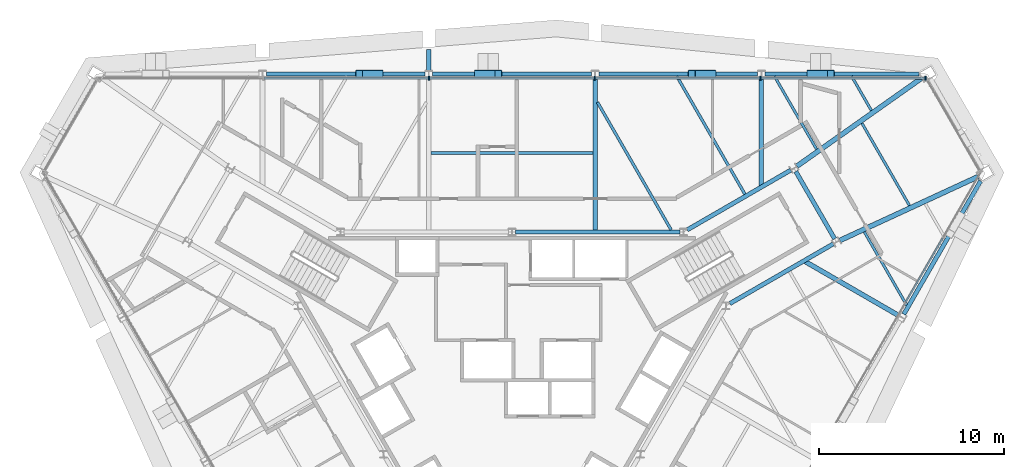
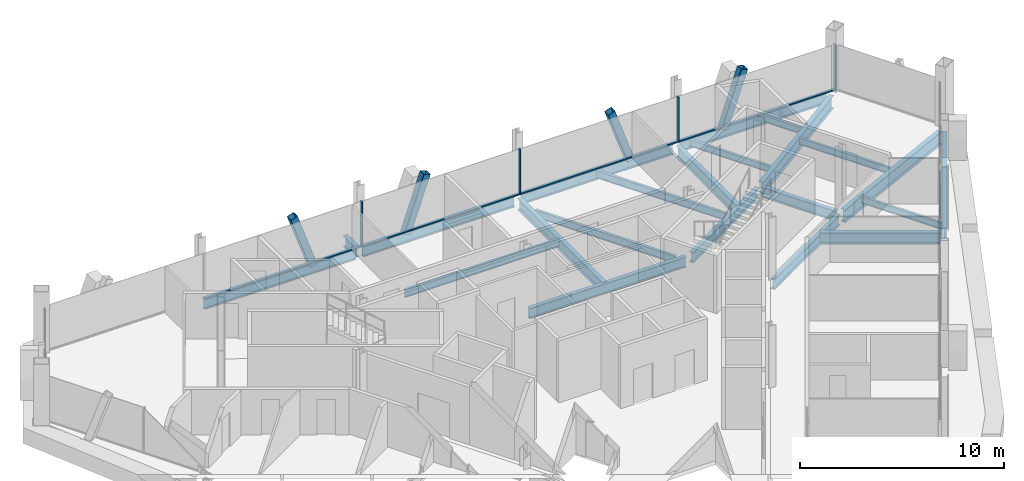
# One storey, part 8 of 16: 22 beams, 13 members, 2 elements without a shape of their own.
"""IFC4 building model written with IfcOpenShell, lengths in metres."""

from ifc_helpers import new_model, si_unit, direction, frame, origin, origin_2d, place, context, subcontext, project, spatial, rectangle, hollow_rectangle, i_section, extrude, material, material_profile, profile_set, type_object, element, aggregate, save


model = new_model("IFC4")

# Units and contexts
model_context = context("Model", 3, precision=1e-05, world=origin(), true_north=direction((0.0, 1.0)))
body_context = subcontext(model_context, "Body", "Model", "MODEL_VIEW")
ifc_project = project(units=[si_unit("LENGTHUNIT", "METRE"), si_unit("AREAUNIT", "SQUARE_METRE"), si_unit("VOLUMEUNIT", "CUBIC_METRE"), si_unit("PLANEANGLEUNIT", "RADIAN"), si_unit("MASSUNIT", "GRAM", prefix="KILO")], contexts=[model_context])

# Site, building, storey
site_placement = place(None, origin())
site = spatial("IfcSite", under=ifc_project, at=site_placement, CompositionType="ELEMENT")
building_placement = place(site_placement, origin())
building = spatial("IfcBuilding", under=site, at=building_placement, Name="Verrane Prism Tower", CompositionType="ELEMENT")
storey_placement = place(building_placement, frame((0.0, 0.0, 239.699951171875)))
storey = spatial("IfcBuildingStorey", under=building, at=storey_placement, Name="L60", CompositionType="ELEMENT", Elevation=239.699951171875)

# Beams
ifc_material_1 = material(Name="Steel A992", Category="steel")
ifc_material_profile_1 = material_profile(ifc_material_1, i_section(OverallWidth=0.23046875, OverallDepth=0.6171875, WebThickness=0.01318359375, FlangeThickness=0.022216796875, FilletRadius=0.012939453125, at=origin_2d()), Name="W24x94")
ifc_profile_set_1 = profile_set([ifc_material_profile_1], Name="Steel A992")
beam_type_1 = type_object("IfcBeamType", Name="Core ring girder W24x94", PredefinedType="BEAM", material=ifc_profile_set_1)
beam_1_placement = place(storey_placement, frame((11.759521484375, 4.135009765625, -0.55859375), z_axis=(0.866080992722, 0.499903704773, 0.0), x_axis=(-0.499903704773, 0.866080992722, 0.0)))
element("IfcBeam", 1, at=beam_1_placement, inside=storey, type_object=beam_type_1, Name="Core ring girder L60", PredefinedType="BEAM", context=body_context, shape_type="SweptSolid", body=[
    extrude(i_section(OverallWidth=0.23046875, OverallDepth=0.6171875, WebThickness=0.01318359375, FlangeThickness=0.022216796875, FilletRadius=0.012939453125, at=origin_2d()), origin(), (0.0, 0.0, 1.0), 6.451904296875),
])
beam_2_placement = place(storey_placement, frame((17.419677734375, 7.6337890625, -0.55859375), z_axis=(-0.500375511519, 0.865808493532, 0.0), x_axis=(-0.865808493532, -0.500375511519, 0.0)))
element("IfcBeam", 2, at=beam_2_placement, inside=storey, type_object=beam_type_1, Name="Core ring girder L60", PredefinedType="BEAM", context=body_context, shape_type="SweptSolid", body=[
    extrude(i_section(OverallWidth=0.23046875, OverallDepth=0.6171875, WebThickness=0.01318359375, FlangeThickness=0.022216796875, FilletRadius=0.012939453125, at=origin_2d()), origin(), (0.0, 0.0, 1.0), 4.195556640625),
])
beam_3_placement = place(storey_placement, frame((15.04736328125, 11.34033203125, -0.55859375), z_axis=(-0.866080992722, -0.499903704773, 0.0), x_axis=(0.499903704773, -0.866080992722, 0.0)))
element("IfcBeam", 3, at=beam_3_placement, inside=storey, type_object=beam_type_1, Name="Core ring girder L60", PredefinedType="BEAM", context=body_context, shape_type="SweptSolid", body=[
    extrude(i_section(OverallWidth=0.23046875, OverallDepth=0.6171875, WebThickness=0.01318359375, FlangeThickness=0.022216796875, FilletRadius=0.012939453125, at=origin_2d()), origin(), (0.0, 0.0, 1.0), 6.451904296875),
])
beam_4_placement = place(storey_placement, frame((9.060546875, 8.0, -0.55859375), z_axis=(-1.0, 0.0, 0.0), x_axis=(0.0, -1.0, 0.0)))
element("IfcBeam", 4, at=beam_4_placement, inside=storey, type_object=beam_type_1, Name="Core ring girder L60", PredefinedType="BEAM", context=body_context, shape_type="SweptSolid", body=[
    extrude(i_section(OverallWidth=0.23046875, OverallDepth=0.6171875, WebThickness=0.01318359375, FlangeThickness=0.022216796875, FilletRadius=0.012939453125, at=origin_2d()), origin(), (0.0, 0.0, 1.0), 8.861083984375),
])
ifc_material_2 = material(Name="Steel A992", Category="steel")
ifc_material_profile_2 = material_profile(ifc_material_2, i_section(OverallWidth=0.2666015625, OverallDepth=0.76708984375, WebThickness=0.014892578125, FlangeThickness=0.023681640625, FilletRadius=0.0166015625, at=origin_2d()), Name="W30x124")
ifc_profile_set_2 = profile_set([ifc_material_profile_2], Name="Steel A992")
beam_type_2 = type_object("IfcBeamType", Name="Corner girder W30x124", PredefinedType="BEAM", material=ifc_profile_set_2)
beam_5_placement = place(storey_placement, frame((25.165283203125, 10.99169921875, -0.603515625), z_axis=(-0.907815050259, -0.419370760215, 0.0), x_axis=(0.419370760215, -0.907815050259, 0.0)))
element("IfcBeam", 5, at=beam_5_placement, inside=storey, type_object=beam_type_2, Name="Corner girder L60", PredefinedType="BEAM", context=body_context, shape_type="SweptSolid", body=[
    extrude(i_section(OverallWidth=0.2666015625, OverallDepth=0.76708984375, WebThickness=0.014892578125, FlangeThickness=0.023681640625, FilletRadius=0.0166015625, at=origin_2d()), origin(), (0.0, 0.0, 1.0), 8.22119140625),
])
beam_6_placement = place(storey_placement, frame((22.101806640625, 16.29833984375, -0.603515625), z_axis=(-0.816932483904, -0.576733315096, 0.0), x_axis=(0.576733315096, -0.816932483904, 0.0)))
element("IfcBeam", 6, at=beam_6_placement, inside=storey, type_object=beam_type_2, Name="Corner girder L60", PredefinedType="BEAM", context=body_context, shape_type="SweptSolid", body=[
    extrude(i_section(OverallWidth=0.2666015625, OverallDepth=0.76708984375, WebThickness=0.014892578125, FlangeThickness=0.023681640625, FilletRadius=0.0166015625, at=origin_2d()), origin(), (0.0, 0.0, 1.0), 8.223876953125),
])

# Members
ifc_material_3 = material(Name="Steel A500 Grade C", Category="steel")
ifc_material_profile_3 = material_profile(ifc_material_3, hollow_rectangle(XDim=0.406494140625, YDim=0.406494140625, WallThickness=0.01904296875, InnerFilletRadius=0.009521484375, OuterFilletRadius=0.028564453125, at=origin_2d()), Name="HSS16x16x3/4")
ifc_profile_set_3 = profile_set([ifc_material_profile_3], Name="Steel A500 Grade C")
member_type_1 = type_object("IfcMemberType", Name="Facade brace HSS16x16x3/4", PredefinedType="BRACE", material=ifc_profile_set_3)
for number, where, z_axis, x_axis, name in (
    (7, (16.110107421875, 16.530029296875, -0.216552734375), (0.327271704473, 0.0, 0.944930278619), (0.0, 1.0, 0.0), "Facade brace N0 L60"),
    (8, (10.809814453125, 16.530029296875, -0.216552734375), (-0.327271704473, 0.0, 0.944930278619), (0.0, -1.0, 0.0), "Facade brace N1 L60"),
):
    element("IfcMember", number, at=place(storey_placement, frame(where, z_axis=z_axis, x_axis=x_axis)), inside=storey, type_object=member_type_1, Name=name, PredefinedType="BRACE", context=body_context, shape_type="SweptSolid", body=[
        extrude(hollow_rectangle(XDim=0.406494140625, YDim=0.406494140625, WallThickness=0.01904296875, InnerFilletRadius=0.009521484375, OuterFilletRadius=0.028564453125, at=origin_2d()), origin(), (0.0, 0.0, 1.0), 3.38232421875),
    ])
member_1_placement = place(storey_placement, frame((-1.8369140625, 16.530029296875, -0.216552734375), z_axis=(0.327593900005, 0.0, 0.94481862634), x_axis=(0.0, 1.0, 0.0)))
element("IfcMember", 9, at=member_1_placement, inside=storey, type_object=member_type_1, Name="Facade brace N2 L60", PredefinedType="BRACE", context=body_context, shape_type="SweptSolid", body=[
    extrude(hollow_rectangle(XDim=0.406494140625, YDim=0.406494140625, WallThickness=0.01904296875, InnerFilletRadius=0.009521484375, OuterFilletRadius=0.028564453125, at=origin_2d()), origin(), (0.0, 0.0, 1.0), 3.3828125),
])
member_2_placement = place(storey_placement, frame((-7.14013671875, 16.530029296875, -0.216552734375), z_axis=(-0.327271704473, 0.0, 0.944930278619), x_axis=(0.0, -1.0, 0.0)))
element("IfcMember", 10, at=member_2_placement, inside=storey, type_object=member_type_1, Name="Facade brace N3 L60", PredefinedType="BRACE", context=body_context, shape_type="SweptSolid", body=[
    extrude(hollow_rectangle(XDim=0.406494140625, YDim=0.406494140625, WallThickness=0.01904296875, InnerFilletRadius=0.009521484375, OuterFilletRadius=0.028564453125, at=origin_2d()), origin(), (0.0, 0.0, 1.0), 3.38232421875),
])

# Beams
ifc_material_4 = material(Name="Steel A992", Category="steel")
ifc_material_profile_4 = material_profile(ifc_material_4, i_section(OverallWidth=0.140380859375, OverallDepth=0.40380859375, WebThickness=0.007080078125, FlangeThickness=0.01123046875, FilletRadius=0.01025390625, at=origin_2d()), Name="W16x31")
ifc_profile_set_4 = profile_set([ifc_material_profile_4], Name="Steel A992")
beam_type_3 = type_object("IfcBeamType", Name="Floor beam W16x31", PredefinedType="BEAM", material=ifc_profile_set_4)
beam_7_placement = place(storey_placement, frame((19.4033203125, 14.556640625, -0.36181640625), z_axis=(-0.49993256484, 0.866064333992, 0.0), x_axis=(-0.866064333992, -0.49993256484, 0.0)))
element("IfcBeam", 11, at=beam_7_placement, inside=storey, type_object=beam_type_3, Name="Floor beam L60", PredefinedType="BEAM", context=body_context, shape_type="SweptSolid", body=[
    extrude(i_section(OverallWidth=0.140380859375, OverallDepth=0.40380859375, WebThickness=0.007080078125, FlangeThickness=0.01123046875, FilletRadius=0.01025390625, at=origin_2d()), origin(), (0.0, 0.0, 1.0), 2.145751953125),
])
beam_8_placement = place(storey_placement, frame((16.44384765625, 12.46728515625, -0.36181640625), z_axis=(-0.499969718208, 0.866042886279, 0.0), x_axis=(-0.866042886279, -0.499969718208, 0.0)))
element("IfcBeam", 12, at=beam_8_placement, inside=storey, type_object=beam_type_3, Name="Floor beam L60", PredefinedType="BEAM", context=body_context, shape_type="SweptSolid", body=[
    extrude(i_section(OverallWidth=0.140380859375, OverallDepth=0.40380859375, WebThickness=0.007080078125, FlangeThickness=0.01123046875, FilletRadius=0.01025390625, at=origin_2d()), origin(), (0.0, 0.0, 1.0), 4.558349609375),
])
beam_9_placement = place(storey_placement, frame((21.30126953125, 4.05615234375, -0.36181640625), z_axis=(-0.500002007077, 0.866024244995, 0.0), x_axis=(-0.866024244995, -0.500002007077, 0.0)))
element("IfcBeam", 13, at=beam_9_placement, inside=storey, type_object=beam_type_3, Name="Floor beam L60", PredefinedType="BEAM", context=body_context, shape_type="SweptSolid", body=[
    extrude(i_section(OverallWidth=0.140380859375, OverallDepth=0.40380859375, WebThickness=0.007080078125, FlangeThickness=0.01123046875, FilletRadius=0.01025390625, at=origin_2d()), origin(), (0.0, 0.0, 1.0), 4.56103515625),
])
beam_10_placement = place(storey_placement, frame((21.457275390625, 9.42578125, -0.36181640625), z_axis=(-0.499992949462, 0.866029474376, 0.0), x_axis=(-0.866029474376, -0.499992949462, 0.0)))
element("IfcBeam", 14, at=beam_10_placement, inside=storey, type_object=beam_type_3, Name="Floor beam L60", PredefinedType="BEAM", context=body_context, shape_type="SweptSolid", body=[
    extrude(i_section(OverallWidth=0.140380859375, OverallDepth=0.40380859375, WebThickness=0.007080078125, FlangeThickness=0.01123046875, FilletRadius=0.01025390625, at=origin_2d()), origin(), (0.0, 0.0, 1.0), 5.13037109375),
])
ifc_material_5 = material(Name="Steel A992", Category="steel")
ifc_material_profile_5 = material_profile(ifc_material_5, i_section(OverallWidth=0.15234375, OverallDepth=0.449462890625, WebThickness=0.007568359375, FlangeThickness=0.0107421875, FilletRadius=0.01025390625, at=origin_2d()), Name="W18x35")
ifc_profile_set_5 = profile_set([ifc_material_profile_5], Name="Steel A992")
beam_type_4 = type_object("IfcBeamType", Name="Floor beam W18x35", PredefinedType="BEAM", material=ifc_profile_set_5)
beam_11_placement = place(storey_placement, frame((12.57421875, 10.042236328125, -0.384765625), z_axis=(-0.500010598107, 0.866019284878, 0.0), x_axis=(-0.866019284878, -0.500010598107, 0.0)))
element("IfcBeam", 15, at=beam_11_placement, inside=storey, type_object=beam_type_4, Name="Floor beam L60", PredefinedType="BEAM", context=body_context, shape_type="SweptSolid", body=[
    extrude(i_section(OverallWidth=0.15234375, OverallDepth=0.449462890625, WebThickness=0.007568359375, FlangeThickness=0.0107421875, FilletRadius=0.01025390625, at=origin_2d()), origin(), (0.0, 0.0, 1.0), 7.358642578125),
])
beam_12_placement = place(storey_placement, frame((8.59326171875, 8.114990234375, -0.384765625), z_axis=(-0.499998823592, 0.866026082983, 0.0), x_axis=(-0.866026082983, -0.499998823592, 0.0)))
element("IfcBeam", 16, at=beam_12_placement, inside=storey, type_object=beam_type_4, Name="Floor beam L60", PredefinedType="BEAM", context=body_context, shape_type="SweptSolid", body=[
    extrude(i_section(OverallWidth=0.15234375, OverallDepth=0.449462890625, WebThickness=0.007568359375, FlangeThickness=0.0107421875, FilletRadius=0.01025390625, at=origin_2d()), origin(), (0.0, 0.0, 1.0), 7.95263671875),
])
beam_13_placement = place(storey_placement, frame((-4.363037109375, 12.264892578125, -0.384765625), z_axis=(1.0, 0.0, 0.0), x_axis=(0.0, 1.0, 0.0)))
element("IfcBeam", 17, at=beam_13_placement, inside=storey, type_object=beam_type_4, Name="Floor beam L60", PredefinedType="BEAM", context=body_context, shape_type="SweptSolid", body=[
    extrude(i_section(OverallWidth=0.15234375, OverallDepth=0.449462890625, WebThickness=0.007568359375, FlangeThickness=0.0107421875, FilletRadius=0.01025390625, at=origin_2d()), origin(), (0.0, 0.0, 1.0), 8.72607421875),
])

# Curtain wall, members
ifc_material_6 = material(Name="Aluminium framed insulated glazing", Category="aluminium")
curtain_wall_type_1 = type_object("IfcCurtainWallType", Name="Curtain wall CW-A 8400 module", PredefinedType="NOTDEFINED", material=ifc_material_6)
curtain_wall_1_placement = place(storey_placement, origin())
curtain_wall_1 = element("IfcCurtainWall", 18, at=curtain_wall_1_placement, inside=storey, type_object=curtain_wall_type_1, Name="Glazed curtain wall north face L60", PredefinedType="NOTDEFINED")
ifc_material_7 = material(Name="Aluminium alloy 6063-T6", Category="aluminium")
ifc_material_profile_6 = material_profile(ifc_material_7, rectangle(XDim=0.199951171875, YDim=0.070068359375, at=origin_2d()), Name="Mullion 70x200 aluminium")
ifc_profile_set_6 = profile_set([ifc_material_profile_6], Name="Aluminium alloy 6063-T6")
member_type_2 = type_object("IfcMemberType", Name="Mullion 70x200 aluminium", PredefinedType="MULLION", material=ifc_profile_set_6)
member_3_placement = place(storey_placement, frame((22.32470703125, 16.3017578125, 0.0), z_axis=(0.0, 0.0, 1.0), x_axis=(0.0, -1.0, 0.0)))
member_3 = element("IfcMember", 19, at=member_3_placement, type_object=member_type_2, Name="CW59.2 mullion 1", PredefinedType="MULLION", context=body_context, shape_type="SweptSolid", body=[
    extrude(rectangle(XDim=0.199951171875, YDim=0.070068359375, at=origin_2d()), origin(), (0.0, 0.0, 1.0), 2.712890625),
])
member_4_placement = place(storey_placement, frame((13.415771484375, 16.3017578125, 0.0), z_axis=(0.0, 0.0, 1.0), x_axis=(0.0, -1.0, 0.0)))
member_4 = element("IfcMember", 20, at=member_4_placement, type_object=member_type_2, Name="CW59.2 mullion 2", PredefinedType="MULLION", context=body_context, shape_type="SweptSolid", body=[
    extrude(rectangle(XDim=0.199951171875, YDim=0.070068359375, at=origin_2d()), origin(), (0.0, 0.0, 1.0), 2.712890625),
])
member_5_placement = place(storey_placement, frame((4.471923828125, 16.3017578125, 0.0), z_axis=(0.0, 0.0, 1.0), x_axis=(0.0, -1.0, 0.0)))
member_5 = element("IfcMember", 21, at=member_5_placement, type_object=member_type_2, Name="CW59.2 mullion 3", PredefinedType="MULLION", context=body_context, shape_type="SweptSolid", body=[
    extrude(rectangle(XDim=0.199951171875, YDim=0.070068359375, at=origin_2d()), origin(), (0.0, 0.0, 1.0), 2.712890625),
])
member_6_placement = place(storey_placement, frame((-4.471923828125, 16.3017578125, 0.0), z_axis=(0.0, 0.0, 1.0), x_axis=(0.0, -1.0, 0.0)))
member_6 = element("IfcMember", 22, at=member_6_placement, type_object=member_type_2, Name="CW59.2 mullion 4", PredefinedType="MULLION", context=body_context, shape_type="SweptSolid", body=[
    extrude(rectangle(XDim=0.199951171875, YDim=0.070068359375, at=origin_2d()), origin(), (0.0, 0.0, 1.0), 2.712890625),
])

# Beams
ifc_material_8 = material(Name="Steel A992", Category="steel")
ifc_material_profile_7 = material_profile(ifc_material_8, i_section(OverallWidth=0.25390625, OverallDepth=0.683349609375, WebThickness=0.012451171875, FlangeThickness=0.01904296875, FilletRadius=0.01513671875, at=origin_2d()), Name="W27x94")
ifc_profile_set_7 = profile_set([ifc_material_profile_7], Name="Steel A992")
beam_type_5 = type_object("IfcBeamType", Name="Radial girder W27x94", PredefinedType="BEAM", material=ifc_profile_set_7)
beam_14_placement = place(storey_placement, frame((13.4599609375, 16.3369140625, -0.5615234375), z_axis=(0.0, -1.0, 0.0), x_axis=(1.0, 0.0, 0.0)))
element("IfcBeam", 23, at=beam_14_placement, inside=storey, type_object=beam_type_5, Name="Radial girder L60", PredefinedType="BEAM", context=body_context, shape_type="SweptSolid", body=[
    extrude(i_section(OverallWidth=0.25390625, OverallDepth=0.683349609375, WebThickness=0.012451171875, FlangeThickness=0.01904296875, FilletRadius=0.01513671875, at=origin_2d()), origin(), (0.0, 0.0, 1.0), 5.91259765625),
])
beam_15_placement = place(storey_placement, frame((4.489990234375, 16.3369140625, -0.5615234375), z_axis=(0.0, -1.0, 0.0), x_axis=(1.0, 0.0, 0.0)))
element("IfcBeam", 24, at=beam_15_placement, inside=storey, type_object=beam_type_5, Name="Radial girder L60", PredefinedType="BEAM", context=body_context, shape_type="SweptSolid", body=[
    extrude(i_section(OverallWidth=0.25390625, OverallDepth=0.683349609375, WebThickness=0.012451171875, FlangeThickness=0.01904296875, FilletRadius=0.01513671875, at=origin_2d()), origin(), (0.0, 0.0, 1.0), 8.3369140625),
])
beam_16_placement = place(storey_placement, frame((20.8828125, 3.486572265625, -0.5615234375), z_axis=(-0.866035066882, 0.499983262651, 0.0), x_axis=(-0.499983262651, -0.866035066882, 0.0)))
element("IfcBeam", 25, at=beam_16_placement, inside=storey, type_object=beam_type_5, Name="Radial girder L60", PredefinedType="BEAM", context=body_context, shape_type="SweptSolid", body=[
    extrude(i_section(OverallWidth=0.25390625, OverallDepth=0.683349609375, WebThickness=0.012451171875, FlangeThickness=0.01904296875, FilletRadius=0.01513671875, at=origin_2d()), origin(), (0.0, 0.0, 1.0), 5.915283203125),
])
beam_17_placement = place(storey_placement, frame((-4.489990234375, 16.718994140625, -0.5615234375), z_axis=(0.0, 1.0, 0.0), x_axis=(-1.0, 0.0, 0.0)))
element("IfcBeam", 26, at=beam_17_placement, inside=storey, type_object=beam_type_5, Name="Cantilever girder L60", PredefinedType="BEAM", context=body_context, shape_type="SweptSolid", body=[
    extrude(i_section(OverallWidth=0.25390625, OverallDepth=0.683349609375, WebThickness=0.012451171875, FlangeThickness=0.01904296875, FilletRadius=0.01513671875, at=origin_2d()), origin(), (0.0, 0.0, 1.0), 1.121337890625),
])
ifc_material_9 = material(Name="Steel A992", Category="steel")
ifc_material_profile_8 = material_profile(ifc_material_9, i_section(OverallWidth=0.23046875, OverallDepth=0.6171875, WebThickness=0.01318359375, FlangeThickness=0.022216796875, FilletRadius=0.012939453125, at=origin_2d()), Name="W24x94")
ifc_profile_set_8 = profile_set([ifc_material_profile_8], Name="Steel A992")
beam_type_6 = type_object("IfcBeamType", Name="Spandrel beam W24x94", PredefinedType="SPANDREL", material=ifc_profile_set_8)
beam_18_placement = place(storey_placement, frame((21.968017578125, 16.530029296875, -0.468505859375), z_axis=(-1.0, 0.0, 0.0), x_axis=(0.0, -1.0, 0.0)))
element("IfcBeam", 27, at=beam_18_placement, inside=storey, type_object=beam_type_6, Name="Spandrel beam L60", PredefinedType="SPANDREL", context=body_context, shape_type="SweptSolid", body=[
    extrude(i_section(OverallWidth=0.23046875, OverallDepth=0.6171875, WebThickness=0.01318359375, FlangeThickness=0.022216796875, FilletRadius=0.012939453125, at=origin_2d()), origin(), (0.0, 0.0, 1.0), 8.30859375),
])
beam_19_placement = place(storey_placement, frame((13.260498046875, 16.530029296875, -0.468505859375), z_axis=(-1.0, 0.0, 0.0), x_axis=(0.0, -1.0, 0.0)))
element("IfcBeam", 28, at=beam_19_placement, inside=storey, type_object=beam_type_6, Name="Spandrel beam L60", PredefinedType="SPANDREL", context=body_context, shape_type="SweptSolid", body=[
    extrude(i_section(OverallWidth=0.23046875, OverallDepth=0.6171875, WebThickness=0.01318359375, FlangeThickness=0.022216796875, FilletRadius=0.012939453125, at=origin_2d()), origin(), (0.0, 0.0, 1.0), 8.571044921875),
])
beam_20_placement = place(storey_placement, frame((4.29052734375, 16.530029296875, -0.468505859375), z_axis=(-1.0, 0.0, 0.0), x_axis=(0.0, -1.0, 0.0)))
element("IfcBeam", 29, at=beam_20_placement, inside=storey, type_object=beam_type_6, Name="Spandrel beam L60", PredefinedType="SPANDREL", context=body_context, shape_type="SweptSolid", body=[
    extrude(i_section(OverallWidth=0.23046875, OverallDepth=0.6171875, WebThickness=0.01318359375, FlangeThickness=0.022216796875, FilletRadius=0.012939453125, at=origin_2d()), origin(), (0.0, 0.0, 1.0), 8.5810546875),
])
beam_21_placement = place(storey_placement, frame((-4.689453125, 16.530029296875, -0.468505859375), z_axis=(-1.0, 0.0, 0.0), x_axis=(0.0, -1.0, 0.0)))
element("IfcBeam", 30, at=beam_21_placement, inside=storey, type_object=beam_type_6, Name="Spandrel beam L60", PredefinedType="SPANDREL", context=body_context, shape_type="SweptSolid", body=[
    extrude(i_section(OverallWidth=0.23046875, OverallDepth=0.6171875, WebThickness=0.01318359375, FlangeThickness=0.022216796875, FilletRadius=0.012939453125, at=origin_2d()), origin(), (0.0, 0.0, 1.0), 8.571044921875),
])
beam_22_placement = place(storey_placement, frame((21.149658203125, 3.562744140625, -0.468505859375), z_axis=(0.499499405012, 0.866314229591, 0.0), x_axis=(-0.866314229591, 0.499499405012, 0.0)))
element("IfcBeam", 31, at=beam_22_placement, inside=storey, type_object=beam_type_6, Name="Spandrel beam L60", PredefinedType="SPANDREL", context=body_context, shape_type="SweptSolid", body=[
    extrude(i_section(OverallWidth=0.23046875, OverallDepth=0.6171875, WebThickness=0.01318359375, FlangeThickness=0.022216796875, FilletRadius=0.012939453125, at=origin_2d()), origin(), (0.0, 0.0, 1.0), 8.3076171875),
])

# Curtain wall, member
ifc_material_10 = material(Name="Aluminium framed insulated glazing", Category="aluminium")
curtain_wall_type_2 = type_object("IfcCurtainWallType", Name="Curtain wall CW-C 4200 module", PredefinedType="NOTDEFINED", material=ifc_material_10)
curtain_wall_2_placement = place(storey_placement, origin())
curtain_wall_2 = element("IfcCurtainWall", 32, at=curtain_wall_2_placement, inside=storey, type_object=curtain_wall_type_2, Name="Glazed curtain wall south-east face L60", PredefinedType="NOTDEFINED")
ifc_material_11 = material(Name="Aluminium alloy 6063-T6", Category="aluminium")
ifc_material_profile_9 = material_profile(ifc_material_11, rectangle(XDim=0.10009765625, YDim=0.050048828125, at=origin_2d()), Name="Transom 50x100 aluminium")
ifc_profile_set_9 = profile_set([ifc_material_profile_9], Name="Aluminium alloy 6063-T6")
member_type_3 = type_object("IfcMemberType", Name="Transom 50x100 aluminium", PredefinedType="USERDEFINED", material=ifc_profile_set_9)
member_7_placement = place(storey_placement, frame((21.24462890625, 4.193359375, 0.025146484375), z_axis=(0.500010157896, 0.866019539041, 0.0), x_axis=(-0.866019539041, 0.500010157896, 0.0)))
member_7 = element("IfcMember", 33, at=member_7_placement, type_object=member_type_3, Name="CW59.6 transom 10", ObjectType="TRANSOM", PredefinedType="USERDEFINED", context=body_context, shape_type="SweptSolid", body=[
    extrude(rectangle(XDim=0.10009765625, YDim=0.050048828125, at=origin_2d()), origin(), (0.0, 0.0, 1.0), 4.015625),
])
aggregate(curtain_wall_2, [member_7])

# Member
ifc_material_12 = material(Name="Aluminium alloy 6063-T6", Category="aluminium")
ifc_material_profile_10 = material_profile(ifc_material_12, rectangle(XDim=0.14990234375, YDim=0.070068359375, at=origin_2d()), Name="Transom 70x150 aluminium")
ifc_profile_set_10 = profile_set([ifc_material_profile_10], Name="Aluminium alloy 6063-T6")
member_type_4 = type_object("IfcMemberType", Name="Transom 70x150 aluminium", PredefinedType="USERDEFINED", material=ifc_profile_set_10)
member_8_placement = place(storey_placement, frame((22.289794921875, 16.3017578125, 0.03515625), z_axis=(-1.0, 0.0, 0.0), x_axis=(0.0, -1.0, 0.0)))
member_8 = element("IfcMember", 34, at=member_8_placement, type_object=member_type_4, Name="CW59.2 transom 1", ObjectType="TRANSOM", PredefinedType="USERDEFINED", context=body_context, shape_type="SweptSolid", body=[
    extrude(rectangle(XDim=0.14990234375, YDim=0.070068359375, at=origin_2d()), origin(), (0.0, 0.0, 1.0), 8.8388671875),
])

member_9_placement = place(storey_placement, frame((13.380859375, 16.3017578125, 0.03515625), z_axis=(-1.0, 0.0, 0.0), x_axis=(0.0, -1.0, 0.0)))
member_9 = element("IfcMember", 35, at=member_9_placement, type_object=member_type_4, Name="CW59.2 transom 2", ObjectType="TRANSOM", PredefinedType="USERDEFINED", context=body_context, shape_type="SweptSolid", body=[
    extrude(rectangle(XDim=0.14990234375, YDim=0.070068359375, at=origin_2d()), origin(), (0.0, 0.0, 1.0), 8.8740234375),
])

member_10_placement = place(storey_placement, frame((4.43701171875, 16.3017578125, 0.03515625), z_axis=(-1.0, 0.0, 0.0), x_axis=(0.0, -1.0, 0.0)))
member_10 = element("IfcMember", 36, at=member_10_placement, type_object=member_type_4, Name="CW59.2 transom 3", ObjectType="TRANSOM", PredefinedType="USERDEFINED", context=body_context, shape_type="SweptSolid", body=[
    extrude(rectangle(XDim=0.14990234375, YDim=0.070068359375, at=origin_2d()), origin(), (0.0, 0.0, 1.0), 8.8740234375),
])

member_11_placement = place(storey_placement, frame((-4.5068359375, 16.3017578125, 0.03515625), z_axis=(-1.0, 0.0, 0.0), x_axis=(0.0, -1.0, 0.0)))
member_11 = element("IfcMember", 37, at=member_11_placement, type_object=member_type_4, Name="CW59.2 transom 4", ObjectType="TRANSOM", PredefinedType="USERDEFINED", context=body_context, shape_type="SweptSolid", body=[
    extrude(rectangle(XDim=0.14990234375, YDim=0.070068359375, at=origin_2d()), origin(), (0.0, 0.0, 1.0), 8.8740234375),
])

aggregate(curtain_wall_1, [member_3, member_4, member_5, member_6, member_8, member_9, member_10, member_11])

save(model, "model.ifc")
